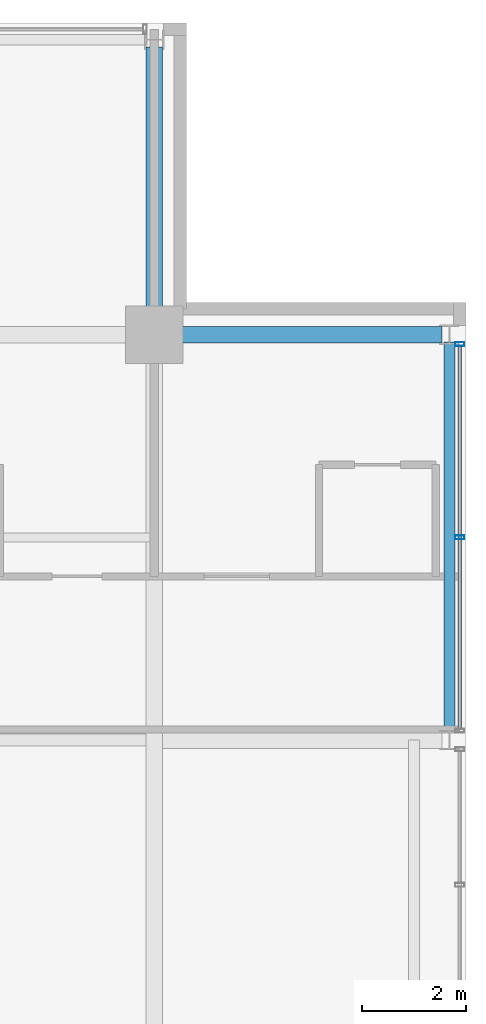
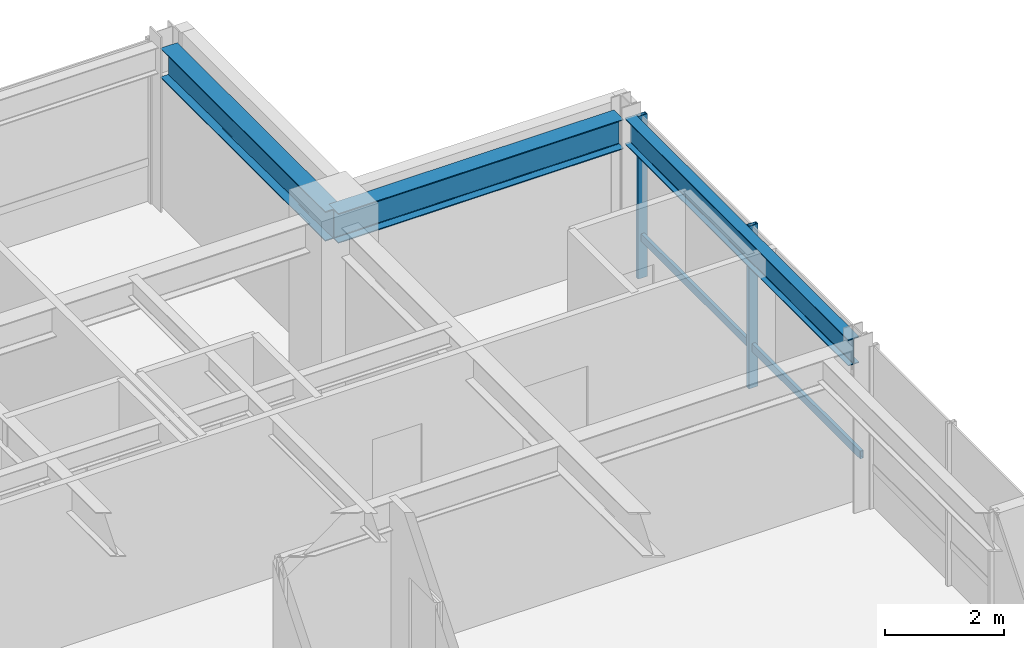
# One storey, part 23 of 31: 3 beams, 3 members, 1 element without a shape of its own.
"""IFC4 building model written with IfcOpenShell, lengths in metres."""

import ifcopenshell
import ifcopenshell.guid

model = None  # the IFC model being written
_history = None  # IfcOwnerHistory: only IFC2X3 demands one
_inside = {}  # id of a spatial element -> (the spatial element, [elements in it])
_under = {}  # id of a project, library or spatial element -> (it, [spatial elements below it])
_declared = {}  # id of a project -> (the project, [libraries it declares])
_typed = {}  # id of a type object -> (the type object, [elements of that type])
_made_of = {}  # id of a material, layer set ... -> (it, [elements and type objects made of it])


def new_model(schema):
    """Start an empty IFC model of exactly this schema.

    Asked for "IFC4X3", IfcOpenShell would pick the latest addendum, in which some entities
    have other attributes; the version numbers below select the first issue.
    IFC2X3 requires an IfcOwnerHistory on every rooted entity: one is made here for all.
    """
    global model, _history
    if schema == "IFC4X3":
        model = ifcopenshell.file(schema_version=(4, 3, 0, 0))
    else:
        model = ifcopenshell.file(schema=schema)
    _inside.clear()
    _under.clear()
    _declared.clear()
    _typed.clear()
    _made_of.clear()
    _history = None
    if model.schema == "IFC2X3":
        org = make("IfcOrganization", Name="unknown")
        user = make(
            "IfcPersonAndOrganization",
            ThePerson=make("IfcPerson", FamilyName="unknown"),
            TheOrganization=org,
        )
        app = make(
            "IfcApplication",
            ApplicationDeveloper=org,
            Version="unknown",
            ApplicationFullName="unknown",
            ApplicationIdentifier="unknown",
        )
        _history = make(
            "IfcOwnerHistory",
            OwningUser=user,
            OwningApplication=app,
            ChangeAction="ADDED",
            CreationDate=0,
        )
    return model


def make(cls, **values):
    """One entity of the class cls with the attributes given. An attribute that is None is left unset."""
    return model.create_entity(
        cls, **{name: value for name, value in values.items() if value is not None}
    )


def rooted(cls, **values):
    """An entity with a GlobalId (a new one), such as an element, a storey or a relation."""
    return make(cls, GlobalId=ifcopenshell.guid.new(), OwnerHistory=_history, **values)


def si_unit(unit_type, name, prefix=None):
    """IfcSIUnit, for example si_unit("LENGTHUNIT", "METRE", prefix="MILLI")."""
    return make("IfcSIUnit", UnitType=unit_type, Prefix=prefix, Name=name)


def assignment(units):
    """IfcUnitAssignment: the units of a project."""
    return None if units is None else make("IfcUnitAssignment", Units=units)


def point(xyz):
    """IfcCartesianPoint."""
    return None if xyz is None else make("IfcCartesianPoint", Coordinates=xyz)


def direction(xyz):
    """IfcDirection."""
    return None if xyz is None else make("IfcDirection", DirectionRatios=xyz)


def frame(location, z_axis=None, x_axis=None):
    """IfcAxis2Placement3D, a coordinate frame: its origin and axes. An axis left out is left unset."""
    return make(
        "IfcAxis2Placement3D",
        Location=point(location),
        Axis=direction(z_axis),
        RefDirection=direction(x_axis),
    )


def frame_2d(location, x_axis=None):
    """IfcAxis2Placement2D, a coordinate frame in the plane: its origin and x axis."""
    return make(
        "IfcAxis2Placement2D", Location=point(location), RefDirection=direction(x_axis)
    )


def origin():
    """The frame at (0, 0, 0) with its axes left unset."""
    return frame((0.0, 0.0, 0.0))


def origin_2d():
    """The frame at (0, 0) in the plane with its x axis left unset."""
    return frame_2d((0.0, 0.0))


def place(relative_to, where):
    """IfcLocalPlacement: puts the frame where relative to a parent placement (None: the world)."""
    return make(
        "IfcLocalPlacement", PlacementRelTo=relative_to, RelativePlacement=where
    )


def context(
    kind, dimensions, precision=None, world=None, true_north=None, identifier=None
):
    """IfcGeometricRepresentationContext, for example the 3D "Model" context."""
    return make(
        "IfcGeometricRepresentationContext",
        ContextIdentifier=identifier,
        ContextType=kind,
        CoordinateSpaceDimension=dimensions,
        Precision=precision,
        WorldCoordinateSystem=world,
        TrueNorth=true_north,
    )


def subcontext(parent, identifier, kind, view, scale=None):
    """IfcGeometricRepresentationSubContext, for example "Body" below "Model"."""
    return make(
        "IfcGeometricRepresentationSubContext",
        ContextIdentifier=identifier,
        ContextType=kind,
        ParentContext=parent,
        TargetScale=scale,
        TargetView=view,
    )


def project(units=None, contexts=None):
    """IfcProject with its units and contexts."""
    return rooted(
        "IfcProject",
        Name="project",
        RepresentationContexts=contexts,
        UnitsInContext=assignment(units),
    )


def spatial(cls, under=None, at=None, **own):
    """A site, building, storey or space (cls), placed at a placement, below another one or the project."""
    s = rooted(cls, ObjectPlacement=at, **own)
    if under is not None:
        _under.setdefault(under.id(), (under, []))[1].append(s)
    return s


def profile(cls, at=None, kind="AREA", **sizes):
    """A parametric profile (cls). Its sizes go by their IFC names, for example OverallWidth=200.0."""
    return make(cls, ProfileType=kind, Position=at, **sizes)


def hollow_rectangle(**sizes):
    """IfcRectangleHollowProfileDef."""
    return profile("IfcRectangleHollowProfileDef", **sizes)


def i_section(**sizes):
    """IfcIShapeProfileDef."""
    return profile("IfcIShapeProfileDef", **sizes)


def extrude(swept, where, along, depth):
    """IfcExtrudedAreaSolid: the profile swept, set in the frame where, extruded along a direction by depth."""
    return make(
        "IfcExtrudedAreaSolid",
        SweptArea=swept,
        Position=where,
        ExtrudedDirection=direction(along),
        Depth=depth,
    )


def shape(context_of_items, identifier, shape_type, items):
    """IfcShapeRepresentation: the items that make up one representation, for example the "Body"."""
    return make(
        "IfcShapeRepresentation",
        ContextOfItems=context_of_items,
        RepresentationIdentifier=identifier,
        RepresentationType=shape_type,
        Items=items,
    )


def material(Name=None, Category=None):
    """IfcMaterial."""
    return make("IfcMaterial", Name=Name, Category=Category)


def layer(
    of_material, thickness, ventilated=None, Name=None, Category=None, Priority=None
):
    """IfcMaterialLayer: one layer of a wall or slab, of a material (None: an air gap)."""
    return make(
        "IfcMaterialLayer",
        Material=of_material,
        LayerThickness=thickness,
        IsVentilated=ventilated,
        Name=Name,
        Category=Category,
        Priority=Priority,
    )


def layer_set(layers, Name=None):
    """IfcMaterialLayerSet."""
    return make("IfcMaterialLayerSet", MaterialLayers=layers, LayerSetName=Name)


def material_profile(
    of_material, cross_section, Name=None, Category=None, Priority=None
):
    """IfcMaterialProfile: a cross section and its material."""
    return make(
        "IfcMaterialProfile",
        Name=Name,
        Material=of_material,
        Profile=cross_section,
        Priority=Priority,
        Category=Category,
    )


def profile_set(profiles, Name=None, composite=None):
    """IfcMaterialProfileSet."""
    return make(
        "IfcMaterialProfileSet",
        Name=Name,
        MaterialProfiles=profiles,
        CompositeProfile=composite,
    )


def made_of(thing, what):
    """Note that an element or type object is made of a material, layer set ...; save() writes the relation."""
    if what is not None:
        _made_of.setdefault(what.id(), (what, []))[1].append(thing)
    return thing


def type_object(cls, material=None, **own):
    """A type object (cls), such as IfcWallType, which elements share."""
    return made_of(rooted(cls, **own), material)


def element(
    cls,
    number,
    at=None,
    inside=None,
    cuts=None,
    type_object=None,
    material=None,
    context=None,
    identifier="Body",
    shape_type=None,
    held_by="IfcProductDefinitionShape",
    body=None,
    shapes=None,
    **own,
):
    """One element of the class cls, such as IfcWall. Its Tag is "e" and its number.

    at: its placement. inside: the storey or other place that contains it. cuts: it is an
    opening in that element (IfcRelVoidsElement). A single representation is given by context,
    identifier, shape_type and body (its items); several are given by shapes. held_by: the class
    of the entity that holds the representations. save() writes the other relations.
    """
    e = rooted(cls, Tag="e%d" % number, ObjectPlacement=at, **own)
    if body is not None:
        shapes = [shape(context, identifier, shape_type, body)]
    if shapes is not None:
        e.Representation = make(held_by, Representations=shapes)
    if inside is not None:
        _inside.setdefault(inside.id(), (inside, []))[1].append(e)
    if cuts is not None:
        rooted(
            "IfcRelVoidsElement", RelatingBuildingElement=cuts, RelatedOpeningElement=e
        )
    if type_object is not None:
        _typed.setdefault(type_object.id(), (type_object, []))[1].append(e)
    return made_of(e, material)


def aggregate(whole, parts):
    """IfcRelAggregates: a whole, such as a stair, and the parts it consists of."""
    return rooted("IfcRelAggregates", RelatingObject=whole, RelatedObjects=parts)


def save(model, path):
    """Write the relations noted so far, then the file.

    IfcRelAggregates (storeys below a building ...), IfcRelContainedInSpatialStructure (elements
    in a storey), IfcRelDefinesByType, IfcRelAssociatesMaterial and IfcRelDeclares: one each for
    every whole, place, type object, material and project.
    """
    for whole, parts in _under.values():
        aggregate(whole, parts)
    for where, things in _inside.values():
        rooted(
            "IfcRelContainedInSpatialStructure",
            RelatedElements=things,
            RelatingStructure=where,
        )
    for kind, things in _typed.values():
        rooted("IfcRelDefinesByType", RelatedObjects=things, RelatingType=kind)
    for what, things in _made_of.values():
        rooted("IfcRelAssociatesMaterial", RelatedObjects=things, RelatingMaterial=what)
    for by, libraries in _declared.values():
        rooted("IfcRelDeclares", RelatingContext=by, RelatedDefinitions=libraries)
    model.write(path)


model = new_model("IFC4")

# Units and contexts
model_context = context("Model", 3, precision=1e-05, world=origin(), true_north=direction((0.0, 1.0)))
body_context = subcontext(model_context, "Body", "Model", "MODEL_VIEW")
ifc_project = project(units=[si_unit("LENGTHUNIT", "METRE"), si_unit("AREAUNIT", "SQUARE_METRE"), si_unit("VOLUMEUNIT", "CUBIC_METRE"), si_unit("PLANEANGLEUNIT", "RADIAN"), si_unit("MASSUNIT", "GRAM", prefix="KILO")], contexts=[model_context])

# Site, building, storey
site_placement = place(None, origin())
site = spatial("IfcSite", under=ifc_project, at=site_placement, CompositionType="ELEMENT")
building_placement = place(site_placement, origin())
building = spatial("IfcBuilding", under=site, at=building_placement, Name="Drelvath Grand Hotel", CompositionType="ELEMENT")
storey_placement = place(building_placement, frame((0.0, 0.0, 244.699951171875)))
storey = spatial("IfcBuildingStorey", under=building, at=storey_placement, Name="L64", CompositionType="ELEMENT", Elevation=244.699951171875)

# Curtain wall, members
ifc_material_1 = material(Name="Platinum-Mist Anodised Aluminium Frame", Category="aluminium")
ifc_layer = layer(ifc_material_1, 0.199951171875)
ifc_layer_set = layer_set([ifc_layer], Name="Platinum-Mist Anodised Aluminium Frame")
curtain_wall_type = type_object("IfcCurtainWallType", Name="Stick Curtain Wall CW-05 Platinum Mist High-Rise", PredefinedType="NOTDEFINED", material=ifc_layer_set)
curtain_wall_placement = place(storey_placement, origin())
curtain_wall = element("IfcCurtainWall", 1, at=curtain_wall_placement, inside=storey, type_object=curtain_wall_type, Name="L64 CW-05 Curtain Wall CW05-L64-EN2", PredefinedType="NOTDEFINED")
ifc_material_profile_1 = material_profile(ifc_material_1, hollow_rectangle(XDim=0.06494140625, YDim=0.159912109375, WallThickness=0.00390625, at=origin_2d()), Name="HSS160X65X4")
ifc_profile_set_1 = profile_set([ifc_material_profile_1], Name="Platinum-Mist Anodised Aluminium Frame")
member_type_1 = type_object("IfcMemberType", Name="Curtain Wall Horizontal Transom CW-05 HSS160X65X4", PredefinedType="USERDEFINED", material=ifc_profile_set_1)
member_1_placement = place(storey_placement, frame((22.080078125, 42.981689453125, 0.8349609375), z_axis=(0.0, -1.0, 0.0), x_axis=(1.0, 0.0, 0.0)))
member_1 = element("IfcMember", 2, at=member_1_placement, type_object=member_type_1, Name="CW05-L64-EN2 Sill Transom", ObjectType="TRANSOM", PredefinedType="USERDEFINED", context=body_context, shape_type="SweptSolid", body=[
    extrude(hollow_rectangle(XDim=0.06494140625, YDim=0.159912109375, WallThickness=0.00390625, at=origin_2d()), origin(), (0.0, 0.0, 1.0), 7.363525390625),
])
ifc_material_profile_2 = material_profile(ifc_material_1, hollow_rectangle(XDim=0.074951171875, YDim=0.179931640625, WallThickness=0.0048828125, at=origin_2d()), Name="HSS180X75X5")
ifc_profile_set_2 = profile_set([ifc_material_profile_2], Name="Platinum-Mist Anodised Aluminium Frame")
member_type_2 = type_object("IfcMemberType", Name="Curtain Wall Vertical Mullion CW-05 HSS180X75X5", PredefinedType="MULLION", material=ifc_profile_set_2)
member_2_placement = place(storey_placement, frame((22.080078125, 43.021728515625, 0.0), z_axis=(0.0, 0.0, 1.0), x_axis=(0.0, 1.0, 0.0)))
member_2 = element("IfcMember", 3, at=member_2_placement, type_object=member_type_2, Name="CW05-L64-EN2 Mullion 1", PredefinedType="MULLION", context=body_context, shape_type="SweptSolid", body=[
    extrude(hollow_rectangle(XDim=0.074951171875, YDim=0.179931640625, WallThickness=0.0048828125, at=origin_2d()), origin(), (0.0, 0.0, 1.0), 3.340087890625),
])
member_3_placement = place(storey_placement, frame((22.080078125, 39.300048828125, 0.0), z_axis=(0.0, 0.0, 1.0), x_axis=(0.0, 1.0, 0.0)))
member_3 = element("IfcMember", 4, at=member_3_placement, type_object=member_type_2, Name="CW05-L64-EN2 Mullion 2", PredefinedType="MULLION", context=body_context, shape_type="SweptSolid", body=[
    extrude(hollow_rectangle(XDim=0.074951171875, YDim=0.179931640625, WallThickness=0.0048828125, at=origin_2d()), origin(), (0.0, 0.0, 1.0), 3.340087890625),
])
aggregate(curtain_wall, [member_2, member_3, member_1])

# Beams
ifc_material_2 = material(Name="Steel ASTM A992 Gr 50", Category="steel")
ifc_material_profile_3 = material_profile(ifc_material_2, i_section(OverallWidth=0.210205078125, OverallDepth=0.53662109375, WebThickness=0.010986328125, FlangeThickness=0.017333984375, FilletRadius=0.01806640625, at=origin_2d()), Name="W21X68")
ifc_profile_set_3 = profile_set([ifc_material_profile_3], Name="Steel ASTM A992 Gr 50")
beam_type_1 = type_object("IfcBeamType", Name="Perimeter Spandrel Beam W21X68", PredefinedType="SPANDREL", material=ifc_profile_set_3)
beam_placement = place(storey_placement, frame((21.8798828125, 35.5400390625, 3.071533203125), z_axis=(0.0, 1.0, 0.0), x_axis=(-1.0, 0.0, 0.0)))
element("IfcBeam", 5, at=beam_placement, inside=storey, type_object=beam_type_1, Name="L64 Spandrel East N", PredefinedType="SPANDREL", context=body_context, shape_type="SweptSolid", body=[
    extrude(i_section(OverallWidth=0.210205078125, OverallDepth=0.53662109375, WebThickness=0.010986328125, FlangeThickness=0.017333984375, FilletRadius=0.01806640625, at=origin_2d()), origin(), (0.0, 0.0, 1.0), 7.52001953125),
])
ifc_material_profile_4 = material_profile(ifc_material_2, i_section(OverallWidth=0.323974609375, OverallDepth=0.611083984375, WebThickness=0.0126953125, FlangeThickness=0.01904296875, FilletRadius=0.02197265625, at=origin_2d()), Name="W24X104")
ifc_profile_set_4 = profile_set([ifc_material_profile_4], Name="Steel ASTM A992 Gr 50")
beam_type_2 = type_object("IfcBeamType", Name="Primary Floor Girder W24X104", PredefinedType="BEAM", material=ifc_profile_set_4)
for number, where, z_axis, x_axis, name in (
    (6, (16.199951171875, 43.199951171875, 3.034423828125), (1.0, 0.0, 0.0), (0.0, 1.0, 0.0), "L64 East Grid Girder G"),
    (7, (16.199951171875, 43.199951171875, 3.034423828125), (0.0, 1.0, 0.0), (-1.0, 0.0, 0.0), "L64 North Grid Girder 7"),
):
    element("IfcBeam", number, at=place(storey_placement, frame(where, z_axis=z_axis, x_axis=x_axis)), inside=storey, type_object=beam_type_2, Name=name, PredefinedType="BEAM", context=body_context, shape_type="SweptSolid", body=[
        extrude(i_section(OverallWidth=0.323974609375, OverallDepth=0.611083984375, WebThickness=0.0126953125, FlangeThickness=0.01904296875, FilletRadius=0.02197265625, at=origin_2d()), origin(), (0.0, 0.0, 1.0), 5.5400390625),
    ])

save(model, "model.ifc")
